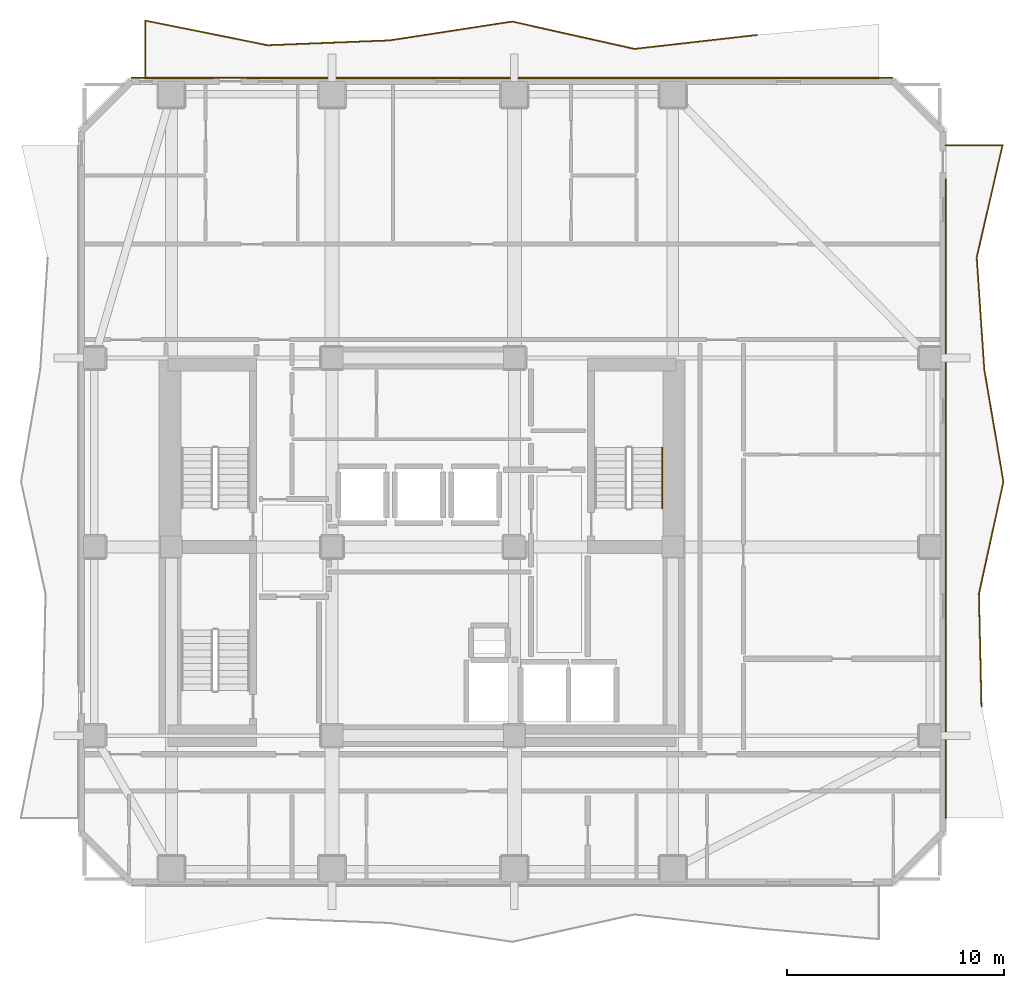
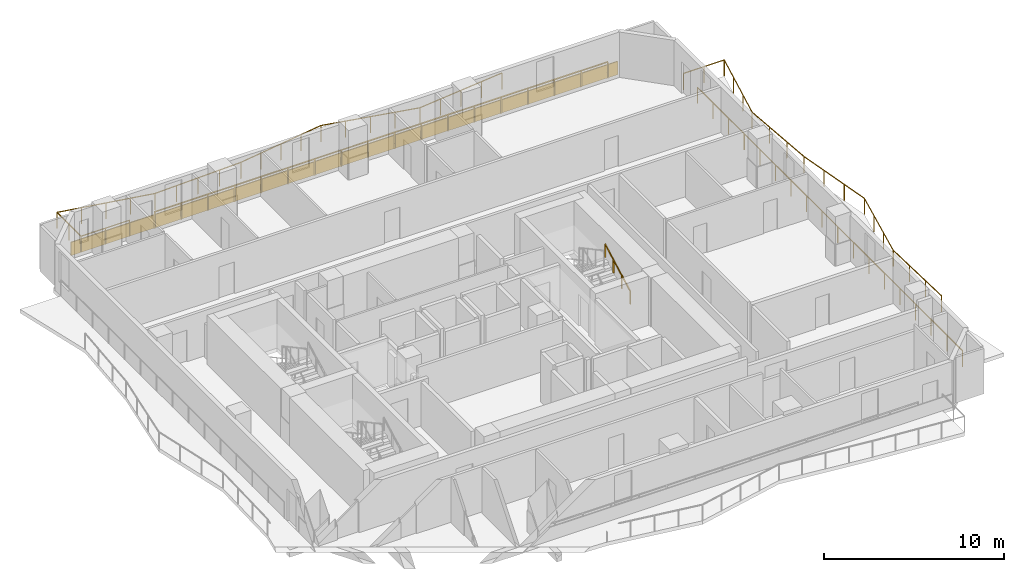
# One storey, part 9 of 9: 5 railings, 1 covering.
"""IFC4 building model written with IfcOpenShell, lengths in metres."""

from ifc_helpers import new_model, si_unit, direction, frame, frame_2d, origin, origin_2d, place, context, subcontext, project, spatial, rectangle, extrude, material, layer, layer_set, type_object, element, save


model = new_model("IFC4")

# Units and contexts
model_context = context("Model", 3, precision=1e-05, world=origin(), true_north=direction((0.0, 1.0)))
body_context = subcontext(model_context, "Body", "Model", "MODEL_VIEW")
ifc_project = project(units=[si_unit("LENGTHUNIT", "METRE"), si_unit("AREAUNIT", "SQUARE_METRE"), si_unit("VOLUMEUNIT", "CUBIC_METRE"), si_unit("PLANEANGLEUNIT", "RADIAN"), si_unit("MASSUNIT", "GRAM", prefix="KILO")], contexts=[model_context])

# Site, building, storey
site_placement = place(None, origin())
site = spatial("IfcSite", under=ifc_project, at=site_placement, CompositionType="ELEMENT")
building_placement = place(site_placement, origin())
building = spatial("IfcBuilding", under=site, at=building_placement, Name="Solanera Arch Residences", CompositionType="ELEMENT")
storey_placement = place(building_placement, frame((0.0, 0.0, 155.8798828125)))
storey = spatial("IfcBuildingStorey", under=building, at=storey_placement, Name="L45", CompositionType="ELEMENT", Elevation=155.8798828125)

# Railings
ifc_material_1 = material(Name="Steel S355 (ASTM A992 / A572 Grade 50)", Category="steel")
railing_type_1 = type_object("IfcRailingType", Name="Balustrade Railing BL-1100", PredefinedType="BALUSTRADE", material=ifc_material_1)
railing_1_placement = place(storey_placement, frame((40.366943359375, 54.285888671875, 0.0)))
element("IfcRailing", 1, at=railing_1_placement, inside=storey, type_object=railing_type_1, Name="L45 N Balcony Balustrade 1", PredefinedType="BALUSTRADE", context=body_context, shape_type="SweptSolid", body=[
    extrude(rectangle(XDim=0.048095703125, YDim=0.048095703125, at=origin_2d()), frame((0.0, 0.0, 1.09619140625), z_axis=(-0.993592623931, -0.113020784236, 0.0), x_axis=(0.113020784236, -0.993592623931, 0.0)), (0.0, 0.0, 1.0), 5.67041015625),
    extrude(rectangle(XDim=0.048095703125, YDim=0.048095703125, at=origin_2d()), frame((-5.634033203125, -0.640869140625, 1.09619140625), z_axis=(-0.975846504853, 0.218457316122, 0.0), x_axis=(-0.218457316122, -0.975846504853, 0.0)), (0.0, 0.0, 1.0), 5.772216796875),
    extrude(rectangle(XDim=0.048095703125, YDim=0.048095703125, at=origin_2d()), frame((-11.266845703125, 0.6201171875, 1.09619140625), z_axis=(-0.988337503545, -0.152279279899, 0.0), x_axis=(0.152279279899, -0.988337503545, 0.0)), (0.0, 0.0, 1.0), 5.699462890625),
    extrude(rectangle(XDim=0.048095703125, YDim=0.048095703125, at=origin_2d()), frame((-16.89990234375, -0.247802734375, 1.09619140625), z_axis=(-0.999216582783, -0.039575506204, 0.0), x_axis=(0.039575506204, -0.999216582783, 0.0)), (0.0, 0.0, 1.0), 5.638427734375),
    extrude(rectangle(XDim=0.048095703125, YDim=0.048095703125, at=origin_2d()), frame((-22.533935546875, -0.470947265625, 1.09619140625), z_axis=(-0.980298601939, 0.1975212673, 0.0), x_axis=(-0.1975212673, -0.980298601939, 0.0)), (0.0, 0.0, 1.0), 5.746337890625),
    extrude(rectangle(XDim=0.048095703125, YDim=0.048095703125, at=origin_2d()), frame((-28.1669921875, 0.6640625, 1.09619140625), z_axis=(0.0, -1.0, 0.0), x_axis=(1.0, 0.0, 0.0)), (0.0, 0.0, 1.0), 2.669921875),
    extrude(rectangle(XDim=0.048095703125, YDim=0.048095703125, at=origin_2d()), frame((-28.1669921875, -2.005859375, 1.09619140625), z_axis=(1.0, 0.0, 0.0), x_axis=(0.0, 1.0, 0.0)), (0.0, 0.0, 1.0), 3.116943359375),
    extrude(rectangle(XDim=0.0419921875, YDim=0.0419921875, at=origin_2d()), origin(), (0.0, 0.0, 1.0), 1.072021484375),
    extrude(rectangle(XDim=0.0419921875, YDim=0.0419921875, at=origin_2d()), frame((-1.408447265625, -0.16015625, 0.0)), (0.0, 0.0, 1.0), 1.072021484375),
    extrude(rectangle(XDim=0.0419921875, YDim=0.0419921875, at=origin_2d()), frame((-2.81689453125, -0.3203125, 0.0)), (0.0, 0.0, 1.0), 1.072021484375),
    extrude(rectangle(XDim=0.0419921875, YDim=0.0419921875, at=origin_2d()), frame((-4.2255859375, -0.480712890625, 0.0)), (0.0, 0.0, 1.0), 1.072021484375),
    extrude(rectangle(XDim=0.0419921875, YDim=0.0419921875, at=origin_2d()), frame((-5.634033203125, -0.640869140625, 0.0)), (0.0, 0.0, 1.0), 1.072021484375),
    extrude(rectangle(XDim=0.0419921875, YDim=0.0419921875, at=origin_2d()), frame((-7.042236328125, -0.32568359375, 0.0)), (0.0, 0.0, 1.0), 1.072021484375),
    extrude(rectangle(XDim=0.0419921875, YDim=0.0419921875, at=origin_2d()), frame((-8.450439453125, -0.01025390625, 0.0)), (0.0, 0.0, 1.0), 1.072021484375),
    extrude(rectangle(XDim=0.0419921875, YDim=0.0419921875, at=origin_2d()), frame((-9.858642578125, 0.304931640625, 0.0)), (0.0, 0.0, 1.0), 1.072021484375),
    extrude(rectangle(XDim=0.0419921875, YDim=0.0419921875, at=origin_2d()), frame((-11.266845703125, 0.6201171875, 0.0)), (0.0, 0.0, 1.0), 1.072021484375),
    extrude(rectangle(XDim=0.0419921875, YDim=0.0419921875, at=origin_2d()), frame((-12.675048828125, 0.403076171875, 0.0)), (0.0, 0.0, 1.0), 1.072021484375),
    extrude(rectangle(XDim=0.0419921875, YDim=0.0419921875, at=origin_2d()), frame((-14.08349609375, 0.18603515625, 0.0)), (0.0, 0.0, 1.0), 1.072021484375),
    extrude(rectangle(XDim=0.0419921875, YDim=0.0419921875, at=origin_2d()), frame((-15.49169921875, -0.03076171875, 0.0)), (0.0, 0.0, 1.0), 1.072021484375),
    extrude(rectangle(XDim=0.0419921875, YDim=0.0419921875, at=origin_2d()), frame((-16.89990234375, -0.247802734375, 0.0)), (0.0, 0.0, 1.0), 1.072021484375),
    extrude(rectangle(XDim=0.0419921875, YDim=0.0419921875, at=origin_2d()), frame((-18.308349609375, -0.3037109375, 0.0)), (0.0, 0.0, 1.0), 1.072021484375),
    extrude(rectangle(XDim=0.0419921875, YDim=0.0419921875, at=origin_2d()), frame((-19.716796875, -0.359375, 0.0)), (0.0, 0.0, 1.0), 1.072021484375),
    extrude(rectangle(XDim=0.0419921875, YDim=0.0419921875, at=origin_2d()), frame((-21.12548828125, -0.4150390625, 0.0)), (0.0, 0.0, 1.0), 1.072021484375),
    extrude(rectangle(XDim=0.0419921875, YDim=0.0419921875, at=origin_2d()), frame((-22.533935546875, -0.470947265625, 0.0)), (0.0, 0.0, 1.0), 1.072021484375),
    extrude(rectangle(XDim=0.0419921875, YDim=0.0419921875, at=origin_2d()), frame((-23.942138671875, -0.187255859375, 0.0)), (0.0, 0.0, 1.0), 1.072021484375),
    extrude(rectangle(XDim=0.0419921875, YDim=0.0419921875, at=origin_2d()), frame((-25.3505859375, 0.0966796875, 0.0)), (0.0, 0.0, 1.0), 1.072021484375),
    extrude(rectangle(XDim=0.0419921875, YDim=0.0419921875, at=origin_2d()), frame((-26.7587890625, 0.38037109375, 0.0)), (0.0, 0.0, 1.0), 1.072021484375),
    extrude(rectangle(XDim=0.0419921875, YDim=0.0419921875, at=origin_2d()), frame((-28.1669921875, 0.6640625, 0.0)), (0.0, 0.0, 1.0), 1.072021484375),
    extrude(rectangle(XDim=0.0419921875, YDim=0.0419921875, at=origin_2d()), frame((-28.1669921875, -0.6708984375, 0.0)), (0.0, 0.0, 1.0), 1.072021484375),
    extrude(rectangle(XDim=0.0419921875, YDim=0.0419921875, at=origin_2d()), frame((-28.1669921875, -2.005859375, 0.0)), (0.0, 0.0, 1.0), 1.072021484375),
    extrude(rectangle(XDim=0.0419921875, YDim=0.0419921875, at=origin_2d()), frame((-26.6083984375, -2.005859375, 0.0)), (0.0, 0.0, 1.0), 1.072021484375),
    extrude(rectangle(XDim=0.0419921875, YDim=0.0419921875, at=origin_2d()), frame((-25.050048828125, -2.005859375, 0.0)), (0.0, 0.0, 1.0), 1.072021484375),
])
railing_2_placement = place(storey_placement, frame((16.9169921875, 52.280029296875, 0.0)))
element("IfcRailing", 2, at=railing_2_placement, inside=storey, type_object=railing_type_1, Name="L45 N Balcony Balustrade 2", PredefinedType="BALUSTRADE", context=body_context, shape_type="SweptSolid", body=[
    extrude(rectangle(XDim=0.048095703125, YDim=0.048095703125, at=origin_2d()), frame((0.0, 0.0, 1.09619140625), z_axis=(1.0, 0.0, 0.0), x_axis=(0.0, 1.0, 0.0)), (0.0, 0.0, 1.0), 29.0830078125),
    extrude(rectangle(XDim=0.0419921875, YDim=0.0419921875, at=origin_2d()), origin(), (0.0, 0.0, 1.0), 1.072021484375),
    extrude(rectangle(XDim=0.0419921875, YDim=0.0419921875, at=origin_2d()), frame((1.710693359375, 0.0, 0.0)), (0.0, 0.0, 1.0), 1.072021484375),
    extrude(rectangle(XDim=0.0419921875, YDim=0.0419921875, at=origin_2d()), frame((3.421630859375, 0.0, 0.0)), (0.0, 0.0, 1.0), 1.072021484375),
    extrude(rectangle(XDim=0.0419921875, YDim=0.0419921875, at=origin_2d()), frame((5.13232421875, 0.0, 0.0)), (0.0, 0.0, 1.0), 1.072021484375),
    extrude(rectangle(XDim=0.0419921875, YDim=0.0419921875, at=origin_2d()), frame((6.843017578125, 0.0, 0.0)), (0.0, 0.0, 1.0), 1.072021484375),
    extrude(rectangle(XDim=0.0419921875, YDim=0.0419921875, at=origin_2d()), frame((8.5537109375, 0.0, 0.0)), (0.0, 0.0, 1.0), 1.072021484375),
    extrude(rectangle(XDim=0.0419921875, YDim=0.0419921875, at=origin_2d()), frame((10.2646484375, 0.0, 0.0)), (0.0, 0.0, 1.0), 1.072021484375),
    extrude(rectangle(XDim=0.0419921875, YDim=0.0419921875, at=origin_2d()), frame((11.975341796875, 0.0, 0.0)), (0.0, 0.0, 1.0), 1.072021484375),
    extrude(rectangle(XDim=0.0419921875, YDim=0.0419921875, at=origin_2d()), frame((13.68603515625, 0.0, 0.0)), (0.0, 0.0, 1.0), 1.072021484375),
    extrude(rectangle(XDim=0.0419921875, YDim=0.0419921875, at=origin_2d()), frame((15.39697265625, 0.0, 0.0)), (0.0, 0.0, 1.0), 1.072021484375),
    extrude(rectangle(XDim=0.0419921875, YDim=0.0419921875, at=origin_2d()), frame((17.107666015625, 0.0, 0.0)), (0.0, 0.0, 1.0), 1.072021484375),
    extrude(rectangle(XDim=0.0419921875, YDim=0.0419921875, at=origin_2d()), frame((18.818359375, 0.0, 0.0)), (0.0, 0.0, 1.0), 1.072021484375),
    extrude(rectangle(XDim=0.0419921875, YDim=0.0419921875, at=origin_2d()), frame((20.529296875, 0.0, 0.0)), (0.0, 0.0, 1.0), 1.072021484375),
    extrude(rectangle(XDim=0.0419921875, YDim=0.0419921875, at=origin_2d()), frame((22.239990234375, 0.0, 0.0)), (0.0, 0.0, 1.0), 1.072021484375),
    extrude(rectangle(XDim=0.0419921875, YDim=0.0419921875, at=origin_2d()), frame((23.95068359375, 0.0, 0.0)), (0.0, 0.0, 1.0), 1.072021484375),
    extrude(rectangle(XDim=0.0419921875, YDim=0.0419921875, at=origin_2d()), frame((25.661376953125, 0.0, 0.0)), (0.0, 0.0, 1.0), 1.072021484375),
    extrude(rectangle(XDim=0.0419921875, YDim=0.0419921875, at=origin_2d()), frame((27.372314453125, 0.0, 0.0)), (0.0, 0.0, 1.0), 1.072021484375),
    extrude(rectangle(XDim=0.0419921875, YDim=0.0419921875, at=origin_2d()), frame((29.0830078125, 0.0, 0.0)), (0.0, 0.0, 1.0), 1.072021484375),
])
railing_3_placement = place(storey_placement, frame((50.72607421875, 23.366943359375, 0.0)))
element("IfcRailing", 3, at=railing_3_placement, inside=storey, type_object=railing_type_1, Name="L45 E Balcony Balustrade 1", PredefinedType="BALUSTRADE", context=body_context, shape_type="SweptSolid", body=[
    extrude(rectangle(XDim=0.048095703125, YDim=0.048095703125, at=origin_2d()), frame((0.0, 0.0, 1.09619140625), z_axis=(-0.02286736473, 0.999738507626, 0.0), x_axis=(-0.999738507626, -0.02286736473, 0.0)), (0.0, 0.0, 1.0), 5.16748046875),
    extrude(rectangle(XDim=0.048095703125, YDim=0.048095703125, at=origin_2d()), frame((-0.1181640625, 5.166015625, 1.09619140625), z_axis=(0.213316893244, 0.976983061807, 0.0), x_axis=(-0.976983061807, 0.213316893244, 0.0)), (0.0, 0.0, 1.0), 5.288818359375),
    extrude(rectangle(XDim=0.048095703125, YDim=0.048095703125, at=origin_2d()), frame((1.010009765625, 10.3330078125, 1.09619140625), z_axis=(-0.167917813194, 0.98580099818, 0.0), x_axis=(-0.98580099818, -0.167917813194, 0.0)), (0.0, 0.0, 1.0), 5.241455078125),
    extrude(rectangle(XDim=0.048095703125, YDim=0.048095703125, at=origin_2d()), frame((0.1298828125, 15.5, 1.09619140625), z_axis=(-0.067567352874, 0.997714715149, 0.0), x_axis=(-0.997714715149, -0.067567352874, 0.0)), (0.0, 0.0, 1.0), 5.177734375),
    extrude(rectangle(XDim=0.048095703125, YDim=0.048095703125, at=origin_2d()), frame((-0.219970703125, 20.666015625, 1.09619140625), z_axis=(0.22442231722, 0.974491982283, 0.0), x_axis=(-0.974491982283, 0.22442231722, 0.0)), (0.0, 0.0, 1.0), 5.30224609375),
    extrude(rectangle(XDim=0.048095703125, YDim=0.048095703125, at=origin_2d()), frame((0.969970703125, 25.8330078125, 1.09619140625), z_axis=(-1.0, 0.0, 0.0), x_axis=(0.0, -1.0, 0.0)), (0.0, 0.0, 1.0), 2.615966796875),
    extrude(rectangle(XDim=0.0419921875, YDim=0.0419921875, at=origin_2d()), origin(), (0.0, 0.0, 1.0), 1.072021484375),
    extrude(rectangle(XDim=0.0419921875, YDim=0.0419921875, at=origin_2d()), frame((-0.039306640625, 1.721923828125, 0.0)), (0.0, 0.0, 1.0), 1.072021484375),
    extrude(rectangle(XDim=0.0419921875, YDim=0.0419921875, at=origin_2d()), frame((-0.078857421875, 3.444091796875, 0.0)), (0.0, 0.0, 1.0), 1.072021484375),
    extrude(rectangle(XDim=0.0419921875, YDim=0.0419921875, at=origin_2d()), frame((-0.1181640625, 5.166015625, 0.0)), (0.0, 0.0, 1.0), 1.072021484375),
    extrude(rectangle(XDim=0.0419921875, YDim=0.0419921875, at=origin_2d()), frame((0.2578125, 6.888427734375, 0.0)), (0.0, 0.0, 1.0), 1.072021484375),
    extrude(rectangle(XDim=0.0419921875, YDim=0.0419921875, at=origin_2d()), frame((0.634033203125, 8.610595703125, 0.0)), (0.0, 0.0, 1.0), 1.072021484375),
    extrude(rectangle(XDim=0.0419921875, YDim=0.0419921875, at=origin_2d()), frame((1.010009765625, 10.3330078125, 0.0)), (0.0, 0.0, 1.0), 1.072021484375),
    extrude(rectangle(XDim=0.0419921875, YDim=0.0419921875, at=origin_2d()), frame((0.716552734375, 12.055419921875, 0.0)), (0.0, 0.0, 1.0), 1.072021484375),
    extrude(rectangle(XDim=0.0419921875, YDim=0.0419921875, at=origin_2d()), frame((0.42333984375, 13.777587890625, 0.0)), (0.0, 0.0, 1.0), 1.072021484375),
    extrude(rectangle(XDim=0.0419921875, YDim=0.0419921875, at=origin_2d()), frame((0.1298828125, 15.5, 0.0)), (0.0, 0.0, 1.0), 1.072021484375),
    extrude(rectangle(XDim=0.0419921875, YDim=0.0419921875, at=origin_2d()), frame((0.01318359375, 17.221923828125, 0.0)), (0.0, 0.0, 1.0), 1.072021484375),
    extrude(rectangle(XDim=0.0419921875, YDim=0.0419921875, at=origin_2d()), frame((-0.103271484375, 18.944091796875, 0.0)), (0.0, 0.0, 1.0), 1.072021484375),
    extrude(rectangle(XDim=0.0419921875, YDim=0.0419921875, at=origin_2d()), frame((-0.219970703125, 20.666015625, 0.0)), (0.0, 0.0, 1.0), 1.072021484375),
    extrude(rectangle(XDim=0.0419921875, YDim=0.0419921875, at=origin_2d()), frame((0.1767578125, 22.388427734375, 0.0)), (0.0, 0.0, 1.0), 1.072021484375),
    extrude(rectangle(XDim=0.0419921875, YDim=0.0419921875, at=origin_2d()), frame((0.5732421875, 24.110595703125, 0.0)), (0.0, 0.0, 1.0), 1.072021484375),
    extrude(rectangle(XDim=0.0419921875, YDim=0.0419921875, at=origin_2d()), frame((0.969970703125, 25.8330078125, 0.0)), (0.0, 0.0, 1.0), 1.072021484375),
    extrude(rectangle(XDim=0.0419921875, YDim=0.0419921875, at=origin_2d()), frame((-0.337890625, 25.8330078125, 0.0)), (0.0, 0.0, 1.0), 1.072021484375),
    extrude(rectangle(XDim=0.0419921875, YDim=0.0419921875, at=origin_2d()), frame((-1.64599609375, 25.8330078125, 0.0)), (0.0, 0.0, 1.0), 1.072021484375),
])
railing_4_placement = place(storey_placement, frame((49.080078125, 47.64111328125, 0.0)))
element("IfcRailing", 4, at=railing_4_placement, inside=storey, type_object=railing_type_1, Name="L45 E Balcony Balustrade 2", PredefinedType="BALUSTRADE", context=body_context, shape_type="SweptSolid", body=[
    extrude(rectangle(XDim=0.048095703125, YDim=0.048095703125, at=origin_2d()), frame((0.0, 0.0, 1.09619140625), z_axis=(0.0, -1.0, 0.0), x_axis=(1.0, 0.0, 0.0)), (0.0, 0.0, 1.0), 29.441162109375),
    extrude(rectangle(XDim=0.0419921875, YDim=0.0419921875, at=origin_2d()), origin(), (0.0, 0.0, 1.0), 1.072021484375),
    extrude(rectangle(XDim=0.0419921875, YDim=0.0419921875, at=origin_2d()), frame((0.0, -1.73193359375, 0.0)), (0.0, 0.0, 1.0), 1.072021484375),
    extrude(rectangle(XDim=0.0419921875, YDim=0.0419921875, at=origin_2d()), frame((0.0, -3.463623046875, 0.0)), (0.0, 0.0, 1.0), 1.072021484375),
    extrude(rectangle(XDim=0.0419921875, YDim=0.0419921875, at=origin_2d()), frame((0.0, -5.195556640625, 0.0)), (0.0, 0.0, 1.0), 1.072021484375),
    extrude(rectangle(XDim=0.0419921875, YDim=0.0419921875, at=origin_2d()), frame((0.0, -6.92724609375, 0.0)), (0.0, 0.0, 1.0), 1.072021484375),
    extrude(rectangle(XDim=0.0419921875, YDim=0.0419921875, at=origin_2d()), frame((0.0, -8.6591796875, 0.0)), (0.0, 0.0, 1.0), 1.072021484375),
    extrude(rectangle(XDim=0.0419921875, YDim=0.0419921875, at=origin_2d()), frame((0.0, -10.39111328125, 0.0)), (0.0, 0.0, 1.0), 1.072021484375),
    extrude(rectangle(XDim=0.0419921875, YDim=0.0419921875, at=origin_2d()), frame((0.0, -12.122802734375, 0.0)), (0.0, 0.0, 1.0), 1.072021484375),
    extrude(rectangle(XDim=0.0419921875, YDim=0.0419921875, at=origin_2d()), frame((0.0, -13.854736328125, 0.0)), (0.0, 0.0, 1.0), 1.072021484375),
    extrude(rectangle(XDim=0.0419921875, YDim=0.0419921875, at=origin_2d()), frame((0.0, -15.58642578125, 0.0)), (0.0, 0.0, 1.0), 1.072021484375),
    extrude(rectangle(XDim=0.0419921875, YDim=0.0419921875, at=origin_2d()), frame((0.0, -17.318359375, 0.0)), (0.0, 0.0, 1.0), 1.072021484375),
    extrude(rectangle(XDim=0.0419921875, YDim=0.0419921875, at=origin_2d()), frame((0.0, -19.050048828125, 0.0)), (0.0, 0.0, 1.0), 1.072021484375),
    extrude(rectangle(XDim=0.0419921875, YDim=0.0419921875, at=origin_2d()), frame((0.0, -20.781982421875, 0.0)), (0.0, 0.0, 1.0), 1.072021484375),
    extrude(rectangle(XDim=0.0419921875, YDim=0.0419921875, at=origin_2d()), frame((0.0, -22.513916015625, 0.0)), (0.0, 0.0, 1.0), 1.072021484375),
    extrude(rectangle(XDim=0.0419921875, YDim=0.0419921875, at=origin_2d()), frame((0.0, -24.24560546875, 0.0)), (0.0, 0.0, 1.0), 1.072021484375),
    extrude(rectangle(XDim=0.0419921875, YDim=0.0419921875, at=origin_2d()), frame((0.0, -25.9775390625, 0.0)), (0.0, 0.0, 1.0), 1.072021484375),
    extrude(rectangle(XDim=0.0419921875, YDim=0.0419921875, at=origin_2d()), frame((0.0, -27.709228515625, 0.0)), (0.0, 0.0, 1.0), 1.072021484375),
    extrude(rectangle(XDim=0.0419921875, YDim=0.0419921875, at=origin_2d()), frame((0.0, -29.441162109375, 0.0)), (0.0, 0.0, 1.0), 1.072021484375),
])

# Covering
ifc_material_2 = material(Name="Philippine Adobe Travertine Cladding", Category="masonry")
ifc_layer = layer(ifc_material_2, 0.06005859375)
ifc_layer_set = layer_set([ifc_layer], Name="Philippine Adobe Travertine Cladding")
covering_type = type_object("IfcCoveringType", Name="Precast Pier Stone Cladding CLD-60", PredefinedType="CLADDING", material=ifc_layer_set)
covering_placement = place(storey_placement, frame((11.554931640625, 52.31494140625, 0.0), z_axis=(0.0, 0.0, 1.0), x_axis=(1.0, 0.0, 0.0)))
element("IfcCovering", 5, at=covering_placement, inside=storey, type_object=covering_type, Name="L45 N Precast Spandrel Stone Band", PredefinedType="CLADDING", context=body_context, shape_type="SweptSolid", body=[
    extrude(rectangle(XDim=35.090087890625, YDim=0.06005859375, at=frame_2d((17.544921875, 0.0))), origin(), (0.0, 0.0, 1.0), 0.900146484375),
])

# Railing
ifc_material_3 = material(Name="Steel S355 (ASTM A992 / A572 Grade 50)", Category="steel")
railing_type_2 = type_object("IfcRailingType", Name="Stair Wall Handrail HR-920", PredefinedType="HANDRAIL", material=ifc_material_3)
railing_5_placement = place(storey_placement, frame((36.010009765625, 32.47998046875, 0.166015625)))
element("IfcRailing", 6, at=railing_5_placement, inside=storey, type_object=railing_type_2, Name="L45 ST-T2 stair handrail 1", PredefinedType="HANDRAIL", context=body_context, shape_type="SweptSolid", body=[
    extrude(rectangle(XDim=0.048095703125, YDim=0.048095703125, at=origin_2d()), frame((0.0, 0.0, 0.8759765625), z_axis=(0.0, 0.881548766853, 0.472092969298), x_axis=(-1.0, 0.0, 0.0)), (0.0, 0.0, 1.0), 3.1650390625),
    extrude(rectangle(XDim=0.0419921875, YDim=0.0419921875, at=origin_2d()), origin(), (0.0, 0.0, 1.0), 0.851806640625),
    extrude(rectangle(XDim=0.0419921875, YDim=0.0419921875, at=origin_2d()), frame((0.0, 0.929931640625, 0.498046875)), (0.0, 0.0, 1.0), 0.851806640625),
    extrude(rectangle(XDim=0.0419921875, YDim=0.0419921875, at=origin_2d()), frame((0.0, 1.860107421875, 0.99609375)), (0.0, 0.0, 1.0), 0.851806640625),
    extrude(rectangle(XDim=0.0419921875, YDim=0.0419921875, at=origin_2d()), frame((0.0, 2.7900390625, 1.494140625)), (0.0, 0.0, 1.0), 0.851806640625),
])

save(model, "model.ifc")
